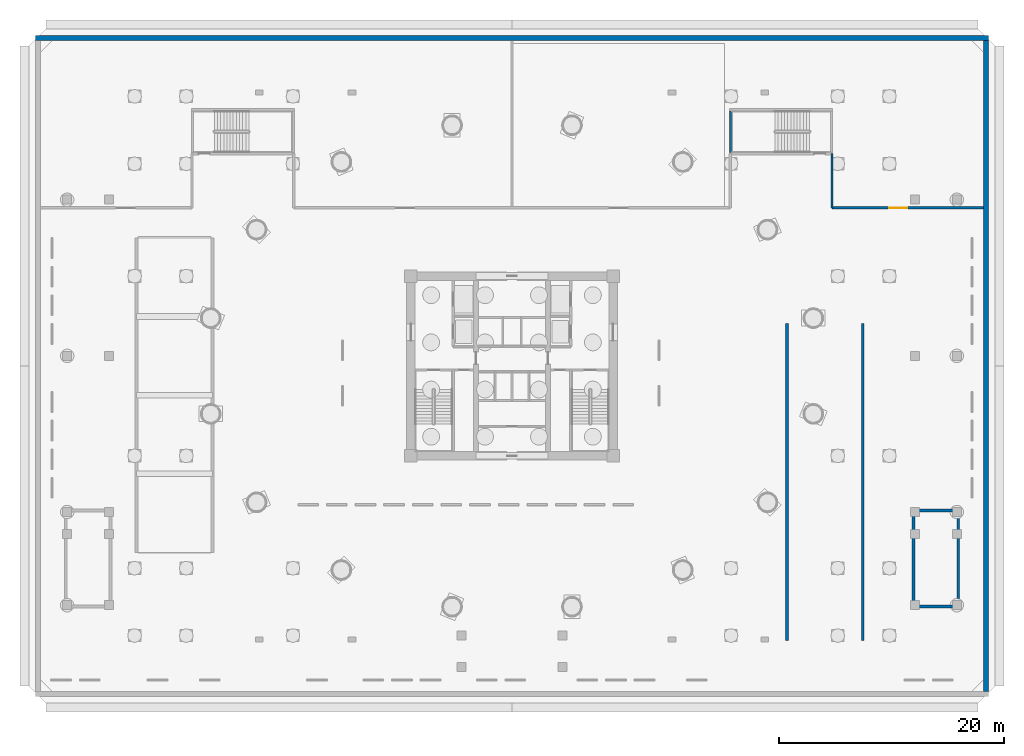
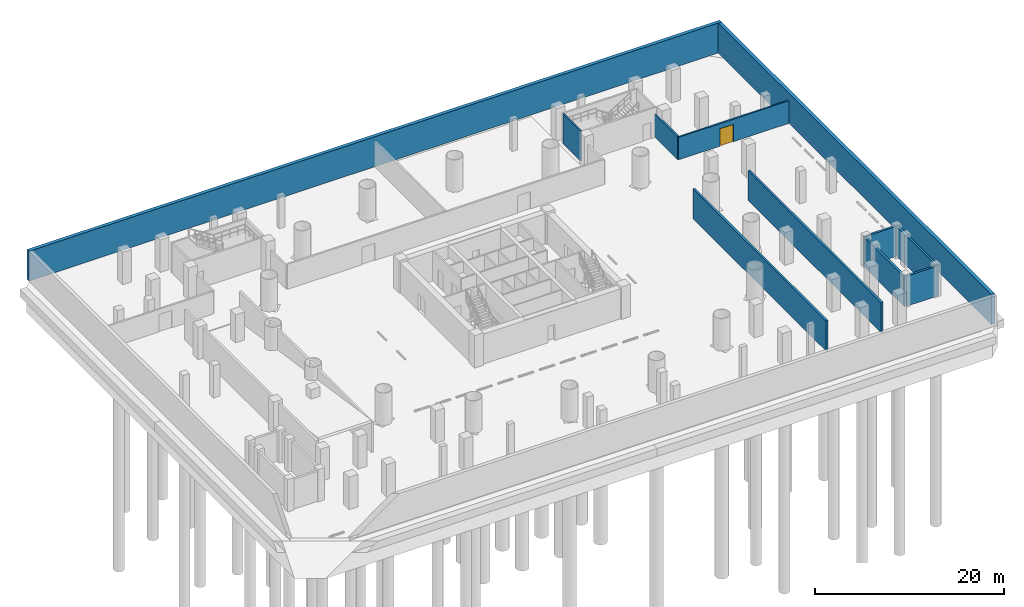
# One storey, part 5 of 11: 11 walls, 1 door, 1 opening.
"""IFC4 building model written with IfcOpenShell, lengths in metres."""

from ifc_helpers import new_model, si_unit, direction, frame, frame_2d, origin, place, context, subcontext, project, spatial, rectangle, extrude, source, transform, mapped, material, layer, layer_set, type_object, element, fill, save


model = new_model("IFC4")

# Units and contexts
model_context = context("Model", 3, precision=1e-05, world=origin(), true_north=direction((-0.2419218956, 0.970295726276)))
body_context = subcontext(model_context, "Body", "Model", "MODEL_VIEW")
ifc_project = project(units=[si_unit("LENGTHUNIT", "METRE"), si_unit("AREAUNIT", "SQUARE_METRE"), si_unit("VOLUMEUNIT", "CUBIC_METRE"), si_unit("PLANEANGLEUNIT", "RADIAN"), si_unit("MASSUNIT", "GRAM", prefix="KILO")], contexts=[model_context])

# Site, building, storey
site_placement = place(None, origin())
site = spatial("IfcSite", under=ifc_project, at=site_placement, CompositionType="ELEMENT")
building_placement = place(site_placement, origin())
building = spatial("IfcBuilding", under=site, at=building_placement, Name="Cobrevalo Terracotta Tower", CompositionType="ELEMENT")
storey_placement = place(building_placement, frame((0.0, 0.0, -8.39990234375)))
storey = spatial("IfcBuildingStorey", under=building, at=storey_placement, Name="B02", CompositionType="ELEMENT", Elevation=-8.39990234375)

# Walls
ifc_material_1 = material(Name="Concrete C50", Category="concrete")
ifc_layer_1 = layer(ifc_material_1, 0.419921875)
ifc_layer_set_1 = layer_set([ifc_layer_1], Name="Concrete C50")
wall_type_1 = type_object("IfcWallType", Name="Basement perimeter retaining wall 420 mm Concrete C50", PredefinedType="SOLIDWALL", material=ifc_layer_set_1)
wall_1_placement = place(storey_placement, frame((-4.409912109375, 56.0, 0.0), z_axis=(0.0, 0.0, 1.0), x_axis=(1.0, 0.0, 0.0)))
element("IfcWall", 1, at=wall_1_placement, inside=storey, type_object=wall_type_1, Name="B02 north basement retaining wall", PredefinedType="SOLIDWALL", context=body_context, shape_type="SweptSolid", body=[
    extrude(rectangle(XDim=84.81982421875, YDim=0.419921875, at=frame_2d((42.409912109375, 0.0))), origin(), (0.0, 0.0, 1.0), 3.8798828125),
])
wall_2_placement = place(storey_placement, frame((80.199951171875, -2.18994140625, 0.0), z_axis=(0.0, 0.0, 1.0), x_axis=(0.0, 1.0, 0.0)))
element("IfcWall", 2, at=wall_2_placement, inside=storey, type_object=wall_type_1, Name="B02 east basement retaining wall", PredefinedType="SOLIDWALL", context=body_context, shape_type="SweptSolid", body=[
    extrude(rectangle(XDim=57.97998046875, YDim=0.419921875, at=frame_2d((28.989990234375, 0.0))), origin(), (0.0, 0.0, 1.0), 3.8798828125),
])

# Wall, opening, door
ifc_material_2 = material(Name="Autoclaved aerated concrete block", Category="concrete")
ifc_layer_2 = layer(ifc_material_2, 0.199951171875)
ifc_layer_set_2 = layer_set([ifc_layer_2], Name="Autoclaved aerated concrete block")
wall_type_2 = type_object("IfcWallType", Name="Fire-rated stair, shaft & demising masonry wall 200 mm", PredefinedType="PARTITIONING", material=ifc_layer_set_2)
wall_3_placement = place(storey_placement, frame((66.47998046875, 40.8798828125, 0.0), z_axis=(0.0, 0.0, 1.0), x_axis=(1.0, 0.0, 0.0)))
wall_3 = element("IfcWall", 3, at=wall_3_placement, inside=storey, type_object=wall_type_2, Name="B02 interior partition IW-B02-BN-3", PredefinedType="PARTITIONING", context=body_context, shape_type="SweptSolid", body=[
    extrude(rectangle(XDim=13.489990234375, YDim=0.199951171875, at=frame_2d((6.7451171875, 0.0))), origin(), (0.0, 0.0, 1.0), 2.914794921875),
])
opening_placement = place(wall_3_placement, frame((5.08984375, 0.0, 0.0)))
opening = element("IfcOpeningElement", 4, at=opening_placement, cuts=wall_3, Name="Opening ID-06", PredefinedType="OPENING", context=body_context, shape_type="SweptSolid", body=[
    extrude(rectangle(XDim=1.60009765625, YDim=2.25, at=frame_2d((0.800048828125, 1.125))), frame((0.0, 0.10986328125, 0.0), z_axis=(0.0, -1.0, 0.0), x_axis=(1.0, 0.0, 0.0)), (0.0, 0.0, 1.0), 0.219970703125),
])
ifc_material_3 = material(Name="Galvanized fire-rated steel", Category="steel")
door_type = type_object("IfcDoorType", Name="Plant & mechanical room double fire door 1600x2250 EI 90", OperationType="NOTDEFINED", PredefinedType="DOOR", material=ifc_material_3)
shared_shape = source(origin(), body_context, "Body", "SweptSolid", [
    extrude(rectangle(XDim=1.60009765625, YDim=2.25, at=frame_2d((0.800048828125, 1.125))), frame((0.0, 0.02490234375, 0.0), z_axis=(0.0, -1.0, 0.0), x_axis=(1.0, 0.0, 0.0)), (0.0, 0.0, 1.0), 0.050048828125),
])
door_placement = place(opening_placement, origin())
door = element("IfcDoor", 5, at=door_placement, inside=storey, type_object=door_type, Name="Central Chiller Plant Room door", OperationType="DOUBLE_DOOR_SINGLE_SWING", OverallHeight=2.25, OverallWidth=1.60009765625, PredefinedType="DOOR", context=body_context, shape_type="MappedRepresentation", body=[
    mapped(shared_shape, transform((0.0, 0.0, 0.0), scale=1.0)),
])
fill(opening, door)

# Walls
wall_4_placement = place(storey_placement, frame((66.47998046875, 40.8798828125, 0.0), z_axis=(0.0, 0.0, 1.0), x_axis=(0.0, 1.0, 0.0)))
element("IfcWall", 6, at=wall_4_placement, inside=storey, type_object=wall_type_2, Name="B02 interior partition IW-B02-BN-3E", PredefinedType="PARTITIONING", context=body_context, shape_type="SweptSolid", body=[
    extrude(rectangle(XDim=4.840087890625, YDim=0.199951171875, at=frame_2d((2.419921875, 0.0))), origin(), (0.0, 0.0, 1.0), 3.014892578125),
])
ifc_layer_3 = layer(ifc_material_1, 0.199951171875)
ifc_layer_set_3 = layer_set([ifc_layer_3], Name="Concrete C50")
wall_type_3 = type_object("IfcWallType", Name="Structural core & podium stair-shaft RC wall 200 mm Concrete C50", PredefinedType="SOLIDWALL", material=ifc_layer_set_3)
wall_5_placement = place(storey_placement, frame((57.449951171875, 45.800048828125, 0.0), z_axis=(0.0, 0.0, 1.0), x_axis=(0.0, 1.0, 0.0)))
element("IfcWall", 7, at=wall_5_placement, inside=storey, type_object=wall_type_3, Name="B02 STP2 west structural shaft wall", PredefinedType="SOLIDWALL", context=body_context, shape_type="SweptSolid", body=[
    extrude(rectangle(XDim=3.719970703125, YDim=0.199951171875, at=frame_2d((1.85986328125, 0.0))), origin(), (0.0, 0.0, 1.0), 3.8798828125),
])
ifc_layer_4 = layer(ifc_material_1, 0.25)
ifc_layer_set_4 = layer_set([ifc_layer_4], Name="Concrete C50")
wall_type_4 = type_object("IfcWallType", Name="Structural stair & ramp shaft RC wall 250 mm Concrete C50", PredefinedType="SOLIDWALL", material=ifc_layer_set_4)
for number, where, z_axis, x_axis, name in (
    (8, (62.47509765625, 2.35009765625, 0.0), (0.0, 0.0, 1.0), (0.0, 1.0, 0.0), "B02 upper vehicle ramp west shaft wall"),
    (9, (69.22509765625, 2.35009765625, 0.0), (0.0, 0.0, 1.0), (0.0, 1.0, 0.0), "B02 upper vehicle ramp east shaft wall"),
):
    element("IfcWall", number, at=place(storey_placement, frame(where, z_axis=z_axis, x_axis=x_axis)), inside=storey, type_object=wall_type_4, Name=name, PredefinedType="SOLIDWALL", context=body_context, shape_type="SweptSolid", body=[
        extrude(rectangle(XDim=28.25, YDim=0.25, at=frame_2d((14.125, 0.0))), origin(), (0.0, 0.0, 1.0), 3.8798828125),
    ])
for number, where, z_axis, x_axis, name in (
    (10, (73.7548828125, 5.25, 0.0), (0.0, 0.0, 1.0), (0.0, 1.0, 0.0), "B02 East monumental raised-garden stair structural shaft wall W"),
    (11, (77.72509765625, 5.25, 0.0), (0.0, 0.0, 1.0), (0.0, 1.0, 0.0), "B02 East monumental raised-garden stair structural shaft wall E"),
):
    element("IfcWall", number, at=place(storey_placement, frame(where, z_axis=z_axis, x_axis=x_axis)), inside=storey, type_object=wall_type_4, Name=name, PredefinedType="SOLIDWALL", context=body_context, shape_type="SweptSolid", body=[
        extrude(rectangle(XDim=8.675048828125, YDim=0.25, at=frame_2d((4.33740234375, 0.0))), origin(), (0.0, 0.0, 1.0), 3.8798828125),
    ])
for number, where, z_axis, x_axis, name in (
    (12, (73.6298828125, 5.375, 0.0), (0.0, 0.0, 1.0), (1.0, 0.0, 0.0), "B02 East monumental raised-garden stair structural shaft wall S"),
    (13, (73.6298828125, 13.925048828125, 0.0), (0.0, 0.0, 1.0), (1.0, 0.0, 0.0), "B02 East monumental raised-garden stair structural shaft wall N"),
):
    element("IfcWall", number, at=place(storey_placement, frame(where, z_axis=z_axis, x_axis=x_axis)), inside=storey, type_object=wall_type_4, Name=name, PredefinedType="SOLIDWALL", context=body_context, shape_type="SweptSolid", body=[
        extrude(rectangle(XDim=4.22021484375, YDim=0.25, at=frame_2d((2.110107421875, 0.0))), origin(), (0.0, 0.0, 1.0), 3.8798828125),
    ])

save(model, "model.ifc")
